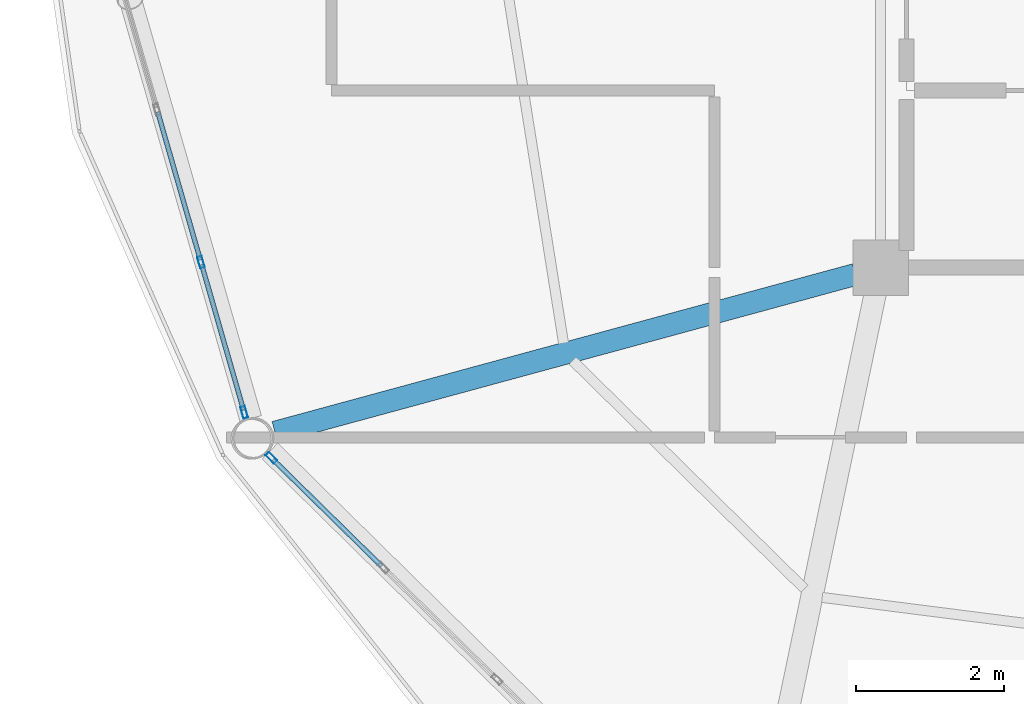
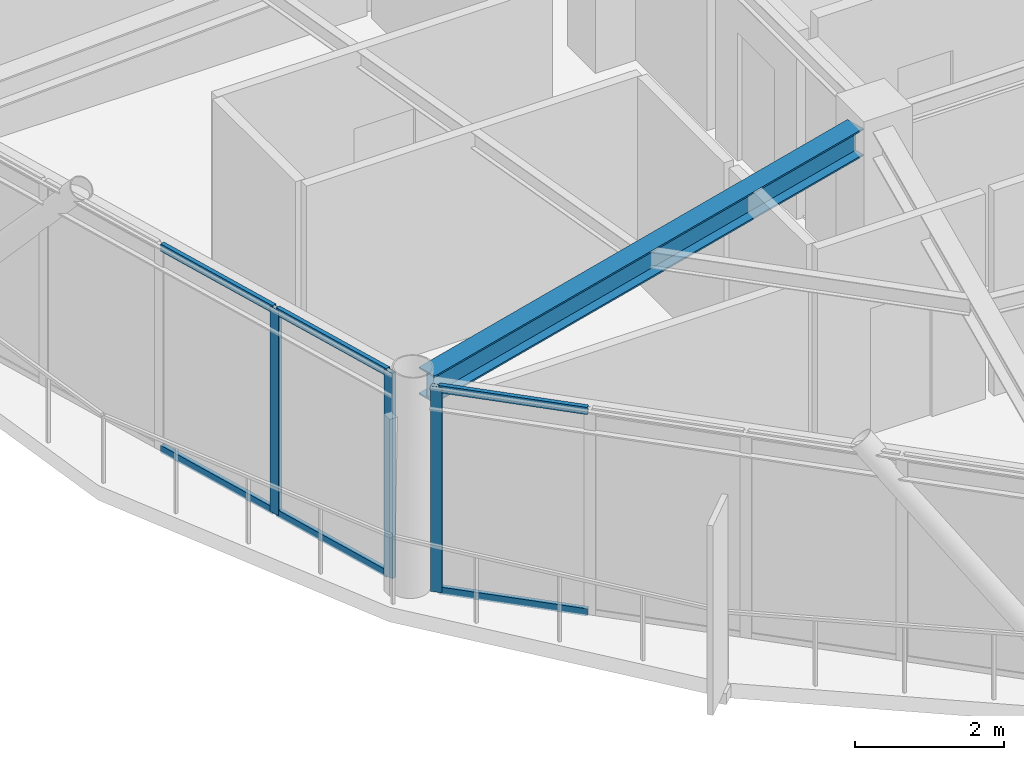
# One storey, part 4 of 25: 9 members, 1 beam, 2 elements without a shape of their own.
"""IFC4 building model written with IfcOpenShell, lengths in metres."""

import ifcopenshell
import ifcopenshell.guid

model = None  # the IFC model being written
_history = None  # IfcOwnerHistory: only IFC2X3 demands one
_inside = {}  # id of a spatial element -> (the spatial element, [elements in it])
_under = {}  # id of a project, library or spatial element -> (it, [spatial elements below it])
_declared = {}  # id of a project -> (the project, [libraries it declares])
_typed = {}  # id of a type object -> (the type object, [elements of that type])
_made_of = {}  # id of a material, layer set ... -> (it, [elements and type objects made of it])


def new_model(schema):
    """Start an empty IFC model of exactly this schema.

    Asked for "IFC4X3", IfcOpenShell would pick the latest addendum, in which some entities
    have other attributes; the version numbers below select the first issue.
    IFC2X3 requires an IfcOwnerHistory on every rooted entity: one is made here for all.
    """
    global model, _history
    if schema == "IFC4X3":
        model = ifcopenshell.file(schema_version=(4, 3, 0, 0))
    else:
        model = ifcopenshell.file(schema=schema)
    _inside.clear()
    _under.clear()
    _declared.clear()
    _typed.clear()
    _made_of.clear()
    _history = None
    if model.schema == "IFC2X3":
        org = make("IfcOrganization", Name="unknown")
        user = make(
            "IfcPersonAndOrganization",
            ThePerson=make("IfcPerson", FamilyName="unknown"),
            TheOrganization=org,
        )
        app = make(
            "IfcApplication",
            ApplicationDeveloper=org,
            Version="unknown",
            ApplicationFullName="unknown",
            ApplicationIdentifier="unknown",
        )
        _history = make(
            "IfcOwnerHistory",
            OwningUser=user,
            OwningApplication=app,
            ChangeAction="ADDED",
            CreationDate=0,
        )
    return model


def make(cls, **values):
    """One entity of the class cls with the attributes given. An attribute that is None is left unset."""
    return model.create_entity(
        cls, **{name: value for name, value in values.items() if value is not None}
    )


def rooted(cls, **values):
    """An entity with a GlobalId (a new one), such as an element, a storey or a relation."""
    return make(cls, GlobalId=ifcopenshell.guid.new(), OwnerHistory=_history, **values)


def si_unit(unit_type, name, prefix=None):
    """IfcSIUnit, for example si_unit("LENGTHUNIT", "METRE", prefix="MILLI")."""
    return make("IfcSIUnit", UnitType=unit_type, Prefix=prefix, Name=name)


def assignment(units):
    """IfcUnitAssignment: the units of a project."""
    return None if units is None else make("IfcUnitAssignment", Units=units)


def point(xyz):
    """IfcCartesianPoint."""
    return None if xyz is None else make("IfcCartesianPoint", Coordinates=xyz)


def direction(xyz):
    """IfcDirection."""
    return None if xyz is None else make("IfcDirection", DirectionRatios=xyz)


def frame(location, z_axis=None, x_axis=None):
    """IfcAxis2Placement3D, a coordinate frame: its origin and axes. An axis left out is left unset."""
    return make(
        "IfcAxis2Placement3D",
        Location=point(location),
        Axis=direction(z_axis),
        RefDirection=direction(x_axis),
    )


def frame_2d(location, x_axis=None):
    """IfcAxis2Placement2D, a coordinate frame in the plane: its origin and x axis."""
    return make(
        "IfcAxis2Placement2D", Location=point(location), RefDirection=direction(x_axis)
    )


def origin():
    """The frame at (0, 0, 0) with its axes left unset."""
    return frame((0.0, 0.0, 0.0))


def origin_2d():
    """The frame at (0, 0) in the plane with its x axis left unset."""
    return frame_2d((0.0, 0.0))


def place(relative_to, where):
    """IfcLocalPlacement: puts the frame where relative to a parent placement (None: the world)."""
    return make(
        "IfcLocalPlacement", PlacementRelTo=relative_to, RelativePlacement=where
    )


def context(
    kind, dimensions, precision=None, world=None, true_north=None, identifier=None
):
    """IfcGeometricRepresentationContext, for example the 3D "Model" context."""
    return make(
        "IfcGeometricRepresentationContext",
        ContextIdentifier=identifier,
        ContextType=kind,
        CoordinateSpaceDimension=dimensions,
        Precision=precision,
        WorldCoordinateSystem=world,
        TrueNorth=true_north,
    )


def subcontext(parent, identifier, kind, view, scale=None):
    """IfcGeometricRepresentationSubContext, for example "Body" below "Model"."""
    return make(
        "IfcGeometricRepresentationSubContext",
        ContextIdentifier=identifier,
        ContextType=kind,
        ParentContext=parent,
        TargetScale=scale,
        TargetView=view,
    )


def project(units=None, contexts=None):
    """IfcProject with its units and contexts."""
    return rooted(
        "IfcProject",
        Name="project",
        RepresentationContexts=contexts,
        UnitsInContext=assignment(units),
    )


def spatial(cls, under=None, at=None, **own):
    """A site, building, storey or space (cls), placed at a placement, below another one or the project."""
    s = rooted(cls, ObjectPlacement=at, **own)
    if under is not None:
        _under.setdefault(under.id(), (under, []))[1].append(s)
    return s


def profile(cls, at=None, kind="AREA", **sizes):
    """A parametric profile (cls). Its sizes go by their IFC names, for example OverallWidth=200.0."""
    return make(cls, ProfileType=kind, Position=at, **sizes)


def hollow_rectangle(**sizes):
    """IfcRectangleHollowProfileDef."""
    return profile("IfcRectangleHollowProfileDef", **sizes)


def i_section(**sizes):
    """IfcIShapeProfileDef."""
    return profile("IfcIShapeProfileDef", **sizes)


def extrude(swept, where, along, depth):
    """IfcExtrudedAreaSolid: the profile swept, set in the frame where, extruded along a direction by depth."""
    return make(
        "IfcExtrudedAreaSolid",
        SweptArea=swept,
        Position=where,
        ExtrudedDirection=direction(along),
        Depth=depth,
    )


def shape(context_of_items, identifier, shape_type, items):
    """IfcShapeRepresentation: the items that make up one representation, for example the "Body"."""
    return make(
        "IfcShapeRepresentation",
        ContextOfItems=context_of_items,
        RepresentationIdentifier=identifier,
        RepresentationType=shape_type,
        Items=items,
    )


def material(Name=None, Category=None):
    """IfcMaterial."""
    return make("IfcMaterial", Name=Name, Category=Category)


def layer(
    of_material, thickness, ventilated=None, Name=None, Category=None, Priority=None
):
    """IfcMaterialLayer: one layer of a wall or slab, of a material (None: an air gap)."""
    return make(
        "IfcMaterialLayer",
        Material=of_material,
        LayerThickness=thickness,
        IsVentilated=ventilated,
        Name=Name,
        Category=Category,
        Priority=Priority,
    )


def layer_set(layers, Name=None):
    """IfcMaterialLayerSet."""
    return make("IfcMaterialLayerSet", MaterialLayers=layers, LayerSetName=Name)


def material_profile(
    of_material, cross_section, Name=None, Category=None, Priority=None
):
    """IfcMaterialProfile: a cross section and its material."""
    return make(
        "IfcMaterialProfile",
        Name=Name,
        Material=of_material,
        Profile=cross_section,
        Priority=Priority,
        Category=Category,
    )


def profile_set(profiles, Name=None, composite=None):
    """IfcMaterialProfileSet."""
    return make(
        "IfcMaterialProfileSet",
        Name=Name,
        MaterialProfiles=profiles,
        CompositeProfile=composite,
    )


def made_of(thing, what):
    """Note that an element or type object is made of a material, layer set ...; save() writes the relation."""
    if what is not None:
        _made_of.setdefault(what.id(), (what, []))[1].append(thing)
    return thing


def type_object(cls, material=None, **own):
    """A type object (cls), such as IfcWallType, which elements share."""
    return made_of(rooted(cls, **own), material)


def element(
    cls,
    number,
    at=None,
    inside=None,
    cuts=None,
    type_object=None,
    material=None,
    context=None,
    identifier="Body",
    shape_type=None,
    held_by="IfcProductDefinitionShape",
    body=None,
    shapes=None,
    **own,
):
    """One element of the class cls, such as IfcWall. Its Tag is "e" and its number.

    at: its placement. inside: the storey or other place that contains it. cuts: it is an
    opening in that element (IfcRelVoidsElement). A single representation is given by context,
    identifier, shape_type and body (its items); several are given by shapes. held_by: the class
    of the entity that holds the representations. save() writes the other relations.
    """
    e = rooted(cls, Tag="e%d" % number, ObjectPlacement=at, **own)
    if body is not None:
        shapes = [shape(context, identifier, shape_type, body)]
    if shapes is not None:
        e.Representation = make(held_by, Representations=shapes)
    if inside is not None:
        _inside.setdefault(inside.id(), (inside, []))[1].append(e)
    if cuts is not None:
        rooted(
            "IfcRelVoidsElement", RelatingBuildingElement=cuts, RelatedOpeningElement=e
        )
    if type_object is not None:
        _typed.setdefault(type_object.id(), (type_object, []))[1].append(e)
    return made_of(e, material)


def aggregate(whole, parts):
    """IfcRelAggregates: a whole, such as a stair, and the parts it consists of."""
    return rooted("IfcRelAggregates", RelatingObject=whole, RelatedObjects=parts)


def save(model, path):
    """Write the relations noted so far, then the file.

    IfcRelAggregates (storeys below a building ...), IfcRelContainedInSpatialStructure (elements
    in a storey), IfcRelDefinesByType, IfcRelAssociatesMaterial and IfcRelDeclares: one each for
    every whole, place, type object, material and project.
    """
    for whole, parts in _under.values():
        aggregate(whole, parts)
    for where, things in _inside.values():
        rooted(
            "IfcRelContainedInSpatialStructure",
            RelatedElements=things,
            RelatingStructure=where,
        )
    for kind, things in _typed.values():
        rooted("IfcRelDefinesByType", RelatedObjects=things, RelatingType=kind)
    for what, things in _made_of.values():
        rooted("IfcRelAssociatesMaterial", RelatedObjects=things, RelatingMaterial=what)
    for by, libraries in _declared.values():
        rooted("IfcRelDeclares", RelatingContext=by, RelatedDefinitions=libraries)
    model.write(path)


model = new_model("IFC4")

# Units and contexts
model_context = context("Model", 3, precision=1e-05, world=origin(), true_north=direction((0.0, 1.0)))
body_context = subcontext(model_context, "Body", "Model", "MODEL_VIEW")
ifc_project = project(units=[si_unit("LENGTHUNIT", "METRE"), si_unit("AREAUNIT", "SQUARE_METRE"), si_unit("VOLUMEUNIT", "CUBIC_METRE"), si_unit("PLANEANGLEUNIT", "RADIAN"), si_unit("MASSUNIT", "GRAM", prefix="KILO")], contexts=[model_context])

# Site, building, storey
site_placement = place(None, origin())
site = spatial("IfcSite", under=ifc_project, at=site_placement, CompositionType="ELEMENT")
building_placement = place(site_placement, origin())
building = spatial("IfcBuilding", under=site, at=building_placement, Name="Varnakorn Sky Granary", CompositionType="ELEMENT")
storey_placement = place(building_placement, frame((0.0, 0.0, 259.800048828125)))
storey = spatial("IfcBuildingStorey", under=building, at=storey_placement, Name="L66", CompositionType="ELEMENT", Elevation=259.800048828125)

# Beam
ifc_material_1 = material(Name="Steel S355JR", Category="steel")
ifc_material_profile_1 = material_profile(ifc_material_1, i_section(OverallWidth=0.300048828125, OverallDepth=0.449951171875, WebThickness=0.013916015625, FlangeThickness=0.02587890625, at=origin_2d()), Name="HE 450 B")
ifc_profile_set_1 = profile_set([ifc_material_profile_1], Name="Steel S355JR")
beam_type = type_object("IfcBeamType", Name="BM-RAD-Z5", PredefinedType="BEAM", material=ifc_profile_set_1)
beam_placement = place(storey_placement, frame((-2.692626953125, -6.693115234375, 3.135009765625), z_axis=(-0.964990808801, -0.26228369932, 0.0), x_axis=(0.26228369932, -0.964990808801, 0.0)))
element("IfcBeam", 1, at=beam_placement, inside=storey, type_object=beam_type, Name="Radial Floor Girder RG08 L66", PredefinedType="BEAM", context=body_context, shape_type="SweptSolid", body=[
    extrude(i_section(OverallWidth=0.300048828125, OverallDepth=0.449951171875, WebThickness=0.013916015625, FlangeThickness=0.02587890625, at=origin_2d()), origin(), (0.0, 0.0, 1.0), 8.153076171875),
])

# Curtain wall, members
ifc_material_2 = material(Name="Anodised Bronze Aluminium Alloy 6063-T6", Category="aluminium")
ifc_layer = layer(ifc_material_2, 0.159912109375, Name="Anodised Bronze Aluminium Alloy 6063-T6")
ifc_layer_set = layer_set([ifc_layer], Name="Anodised Bronze Aluminium Alloy 6063-T6")
curtain_wall_type = type_object("IfcCurtainWallType", Name="CW-OFF-1", PredefinedType="USERDEFINED", material=ifc_layer_set)
curtain_wall_1_placement = place(storey_placement, origin())
curtain_wall_1 = element("IfcCurtainWall", 2, at=curtain_wall_1_placement, inside=storey, type_object=curtain_wall_type, Name="Unitised Curtain Wall CW6 CW-L66-B07", ObjectType="CURTAIN WALL", PredefinedType="USERDEFINED")
ifc_material_profile_2 = material_profile(ifc_material_2, hollow_rectangle(XDim=0.06494140625, YDim=0.159912109375, WallThickness=0.00341796875, at=origin_2d()), Name="ALU MULL 65x160")
ifc_profile_set_2 = profile_set([ifc_material_profile_2], Name="Anodised Bronze Aluminium Alloy 6063-T6")
member_type_1 = type_object("IfcMemberType", Name="CW-OFF-1-MULL", PredefinedType="MULLION", material=ifc_profile_set_2)
member_1_placement = place(storey_placement, frame((-10.977294921875, -8.560546875, 0.0), z_axis=(0.0, 0.0, 1.0), x_axis=(-0.960963029638, -0.27667680725, 0.0)))
member_1 = element("IfcMember", 3, at=member_1_placement, type_object=member_type_1, Name="CW6 mullion 1", PredefinedType="MULLION", context=body_context, shape_type="SweptSolid", body=[
    extrude(hollow_rectangle(XDim=0.06494140625, YDim=0.159912109375, WallThickness=0.00341796875, at=origin_2d()), origin(), (0.0, 0.0, 1.0), 3.35986328125),
])
member_2_placement = place(storey_placement, frame((-11.563232421875, -6.525390625, 0.0), z_axis=(0.0, 0.0, 1.0), x_axis=(-0.960963029638, -0.27667680725, 0.0)))
member_2 = element("IfcMember", 4, at=member_2_placement, type_object=member_type_1, Name="CW6 mullion 2", PredefinedType="MULLION", context=body_context, shape_type="SweptSolid", body=[
    extrude(hollow_rectangle(XDim=0.06494140625, YDim=0.159912109375, WallThickness=0.00341796875, at=origin_2d()), origin(), (0.0, 0.0, 1.0), 3.35986328125),
])

# Curtain wall, member
curtain_wall_2_placement = place(storey_placement, origin())
curtain_wall_2 = element("IfcCurtainWall", 5, at=curtain_wall_2_placement, inside=storey, type_object=curtain_wall_type, Name="Unitised Curtain Wall CW6 CW-L66-B08", ObjectType="CURTAIN WALL", PredefinedType="USERDEFINED")
member_3_placement = place(storey_placement, frame((-10.609130859375, -9.1787109375, 0.0), z_axis=(0.0, 0.0, 1.0), x_axis=(-0.700774417108, -0.713382938068, 0.0)))
member_3 = element("IfcMember", 6, at=member_3_placement, type_object=member_type_1, Name="CW6 mullion 5", PredefinedType="MULLION", context=body_context, shape_type="SweptSolid", body=[
    extrude(hollow_rectangle(XDim=0.06494140625, YDim=0.159912109375, WallThickness=0.00341796875, at=origin_2d()), origin(), (0.0, 0.0, 1.0), 3.35986328125),
])

# Member
ifc_material_profile_3 = material_profile(ifc_material_2, hollow_rectangle(XDim=0.06494140625, YDim=0.1201171875, WallThickness=0.00341796875, at=origin_2d()), Name="ALU TRAN 65x120")
ifc_profile_set_3 = profile_set([ifc_material_profile_3], Name="Anodised Bronze Aluminium Alloy 6063-T6")
member_type_2 = type_object("IfcMemberType", Name="CW-OFF-1-TRAN", PredefinedType="USERDEFINED", material=ifc_profile_set_3)
member_4_placement = place(storey_placement, frame((-10.986328125, -8.529296875, 0.032470703125), z_axis=(-0.276636966112, 0.960974499651, 0.0), x_axis=(-0.960974499651, -0.276636966112, 0.0)))
member_4 = element("IfcMember", 7, at=member_4_placement, type_object=member_type_2, Name="CW6 transom 1.1", ObjectType="TRANSOM", PredefinedType="USERDEFINED", context=body_context, shape_type="SweptSolid", body=[
    extrude(hollow_rectangle(XDim=0.06494140625, YDim=0.1201171875, WallThickness=0.00341796875, at=origin_2d()), origin(), (0.0, 0.0, 1.0), 2.052734375),
])

member_5_placement = place(storey_placement, frame((-10.986328125, -8.529296875, 3.327392578125), z_axis=(-0.276636966112, 0.960974499651, 0.0), x_axis=(-0.960974499651, -0.276636966112, 0.0)))
member_5 = element("IfcMember", 8, at=member_5_placement, type_object=member_type_2, Name="CW6 transom 1.2", ObjectType="TRANSOM", PredefinedType="USERDEFINED", context=body_context, shape_type="SweptSolid", body=[
    extrude(hollow_rectangle(XDim=0.06494140625, YDim=0.1201171875, WallThickness=0.00341796875, at=origin_2d()), origin(), (0.0, 0.0, 1.0), 2.052734375),
])

member_6_placement = place(storey_placement, frame((-11.572265625, -6.494140625, 0.032470703125), z_axis=(-0.276653451318, 0.960969753881, 0.0), x_axis=(-0.960969753881, -0.276653451318, 0.0)))
member_6 = element("IfcMember", 9, at=member_6_placement, type_object=member_type_2, Name="CW6 transom 2.1", ObjectType="TRANSOM", PredefinedType="USERDEFINED", context=body_context, shape_type="SweptSolid", body=[
    extrude(hollow_rectangle(XDim=0.06494140625, YDim=0.1201171875, WallThickness=0.00341796875, at=origin_2d()), origin(), (0.0, 0.0, 1.0), 2.085205078125),
])

member_7_placement = place(storey_placement, frame((-11.572265625, -6.494140625, 3.327392578125), z_axis=(-0.276653451318, 0.960969753881, 0.0), x_axis=(-0.960969753881, -0.276653451318, 0.0)))
member_7 = element("IfcMember", 10, at=member_7_placement, type_object=member_type_2, Name="CW6 transom 2.2", ObjectType="TRANSOM", PredefinedType="USERDEFINED", context=body_context, shape_type="SweptSolid", body=[
    extrude(hollow_rectangle(XDim=0.06494140625, YDim=0.1201171875, WallThickness=0.00341796875, at=origin_2d()), origin(), (0.0, 0.0, 1.0), 2.085205078125),
])

aggregate(curtain_wall_1, [member_1, member_2, member_4, member_5, member_6, member_7])

member_8_placement = place(storey_placement, frame((-9.114990234375, -10.646240234375, 0.032470703125), z_axis=(-0.713413277068, 0.700743530903, 0.0), x_axis=(-0.700743530903, -0.713413277068, 0.0)))
member_8 = element("IfcMember", 11, at=member_8_placement, type_object=member_type_2, Name="CW6 transom 4.1", ObjectType="TRANSOM", PredefinedType="USERDEFINED", context=body_context, shape_type="SweptSolid", body=[
    extrude(hollow_rectangle(XDim=0.06494140625, YDim=0.1201171875, WallThickness=0.00341796875, at=origin_2d()), origin(), (0.0, 0.0, 1.0), 2.061767578125),
])

member_9_placement = place(storey_placement, frame((-9.114990234375, -10.646240234375, 3.327392578125), z_axis=(-0.713413277068, 0.700743530903, 0.0), x_axis=(-0.700743530903, -0.713413277068, 0.0)))
member_9 = element("IfcMember", 12, at=member_9_placement, type_object=member_type_2, Name="CW6 transom 4.2", ObjectType="TRANSOM", PredefinedType="USERDEFINED", context=body_context, shape_type="SweptSolid", body=[
    extrude(hollow_rectangle(XDim=0.06494140625, YDim=0.1201171875, WallThickness=0.00341796875, at=origin_2d()), origin(), (0.0, 0.0, 1.0), 2.061767578125),
])

aggregate(curtain_wall_2, [member_3, member_8, member_9])

save(model, "model.ifc")
